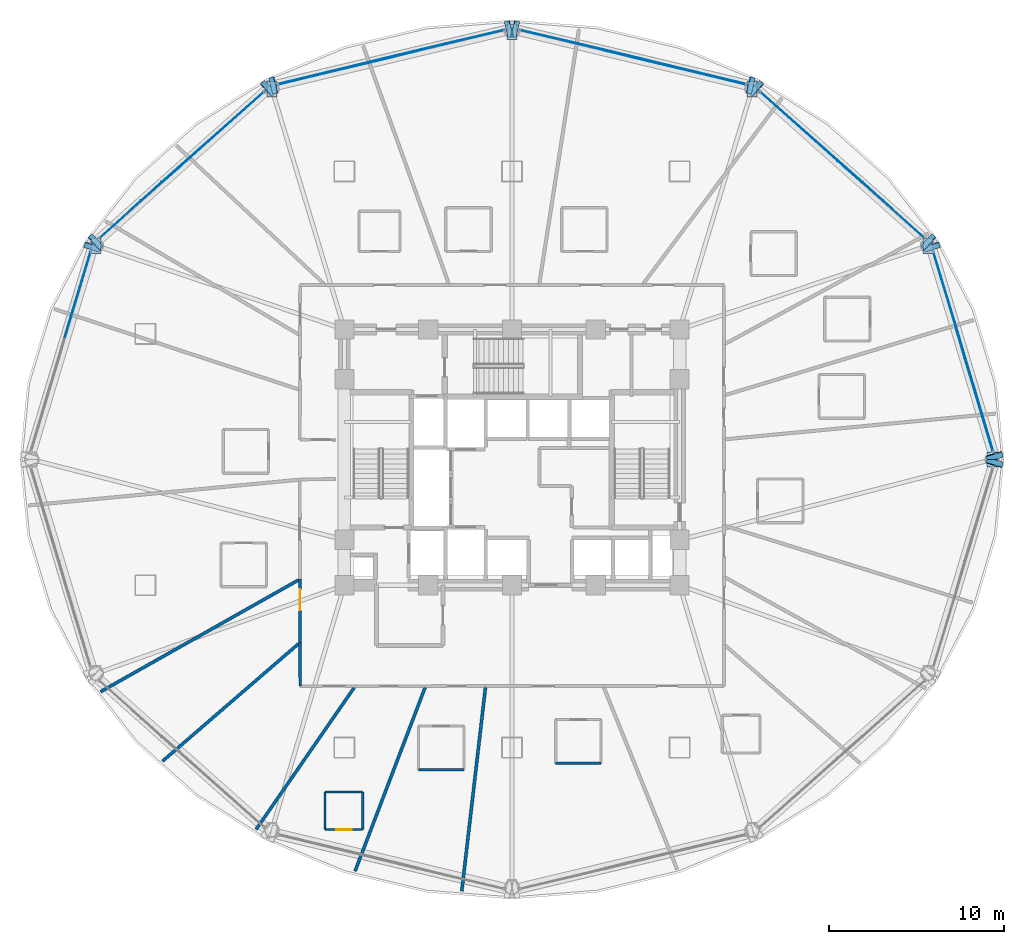
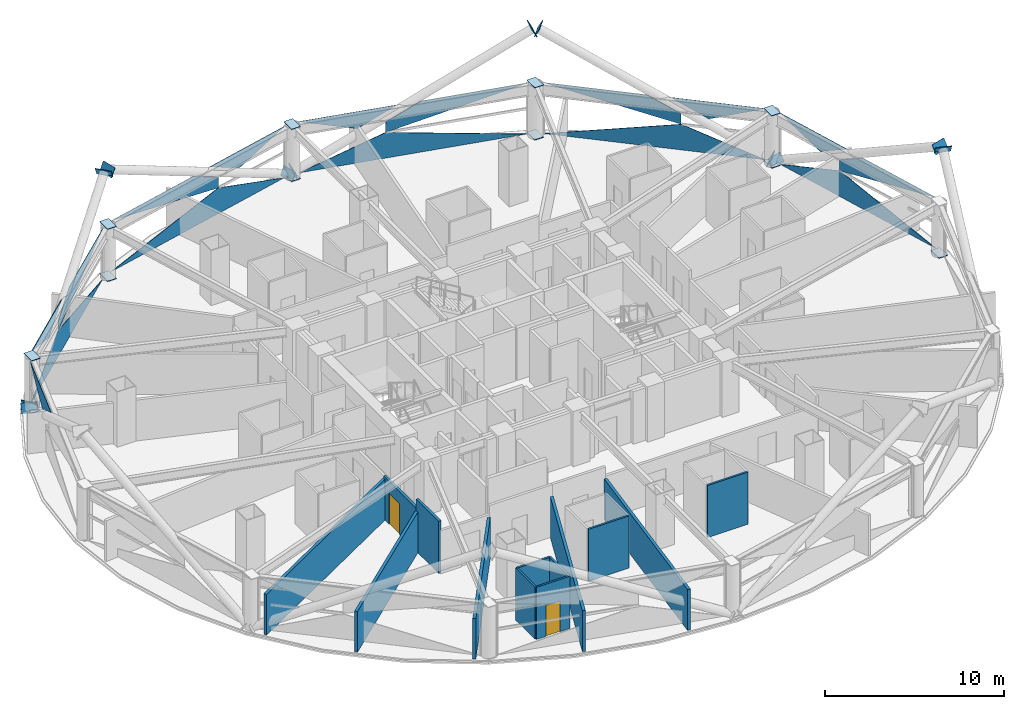
# One storey, part 21 of 30: 39 plates, 13 walls, 2 doors, 2 openings, 6 elements without a shape of their own.
"""IFC4 building model written with IfcOpenShell, lengths in metres."""

from ifc_helpers import new_model, si_unit, direction, frame, frame_2d, origin, place, context, subcontext, project, spatial, polyline, rectangle, outline, extrude, material, layer, layer_set, type_object, element, fill, aggregate, save


model = new_model("IFC4")

# Units and contexts
model_context = context("Model", 3, precision=1e-05, world=origin(), true_north=direction((0.0, 1.0)))
body_context = subcontext(model_context, "Body", "Model", "MODEL_VIEW")
ifc_project = project(units=[si_unit("LENGTHUNIT", "METRE"), si_unit("AREAUNIT", "SQUARE_METRE"), si_unit("VOLUMEUNIT", "CUBIC_METRE"), si_unit("PLANEANGLEUNIT", "RADIAN"), si_unit("MASSUNIT", "GRAM", prefix="KILO")], contexts=[model_context])

# Site, building, storey
site_placement = place(None, origin())
site = spatial("IfcSite", under=ifc_project, at=site_placement, CompositionType="ELEMENT")
building_placement = place(site_placement, origin())
building = spatial("IfcBuilding", under=site, at=building_placement, Name="Vantalir Tower", CompositionType="ELEMENT")
storey_placement = place(building_placement, frame((0.0, 0.0, 79.5)))
storey = spatial("IfcBuildingStorey", under=building, at=storey_placement, Name="L19", CompositionType="ELEMENT", Elevation=79.5)

# Curtain wall, plates
ifc_material_1 = material(Name="Champagne-silver PVDF aluminium and double-silver Low-E glass", Category="aluminium")
ifc_layer_1 = layer(ifc_material_1, 0.18994140625)
ifc_layer_set_1 = layer_set([ifc_layer_1], Name="Champagne-silver PVDF aluminium and double-silver Low-E glass")
curtain_wall_type = type_object("IfcCurtainWallType", Name="CW-DIAMOND-Z1", PredefinedType="USERDEFINED", material=ifc_layer_set_1)
curtain_wall_1_placement = place(storey_placement, origin())
curtain_wall_1 = element("IfcCurtainWall", 1, at=curtain_wall_1_placement, inside=storey, type_object=curtain_wall_type, Name="L19 Quilted Pyramid-Diamond Curtain Wall S01", ObjectType="UNITISED CURTAIN WALL", PredefinedType="USERDEFINED")
ifc_material_2 = material(Name="Double-silver Low-E laminated glass IGU", Category="glass")
ifc_layer_2 = layer(ifc_material_2, 0.028076171875)
ifc_layer_set_2 = layer_set([ifc_layer_2], Name="Double-silver Low-E laminated glass IGU")
plate_type_1 = type_object("IfcPlateType", Name="CWP-IGU-28", PredefinedType="CURTAIN_PANEL", material=ifc_layer_set_2)
plate_1_placement = place(storey_placement, frame((59.050537109375, 25.46435546875, 0.04638671875), z_axis=(-0.957576531214, -0.287852931613, 0.013706809609), x_axis=(-0.287879706856, 0.957666577657, 2.0485285e-05)))
plate_1 = element("IfcPlate", 2, at=plate_1_placement, type_object=plate_type_1, Name="CW-L19-S01 Pyramid Diamond Facet 1L", PredefinedType="CURTAIN_PANEL", context=body_context, shape_type="SweptSolid", body=[
    extrude(outline(polyline([(0.0, 0.0), (11.917853608351962, -2.4123498337802474e-18), (7.3831663202509015, -1.7270617802419481), (0.0, 0.0)])), origin(), (0.0, 0.0, -1.0), 0.028076171875),
])
plate_2_placement = place(storey_placement, frame((59.050537109375, 25.46435546875, 3.523681640625), z_axis=(0.957582670666, 0.287834023631, 0.013674928905), x_axis=(-0.287860371805, 0.9576723889, -4.3393623e-05)))
plate_2 = element("IfcPlate", 3, at=plate_2_placement, type_object=plate_type_1, Name="CW-L19-S01 Pyramid Diamond Facet 2U", PredefinedType="CURTAIN_PANEL", context=body_context, shape_type="SweptSolid", body=[
    extrude(outline(polyline([(0.0, 0.0), (5.5972982099592965, -1.9244588561617704e-18), (7.3831096333744055, -0.99171571200971), (7.383206355143531, -1.726890620226015), (0.0, 0.0)])), origin(), (0.0, 0.0, -1.0), 0.028076171875),
])
plate_3_placement = place(storey_placement, frame((57.1201171875, 31.9970703125, 3.52392578125), z_axis=(0.957569531843, 0.287873284962, 0.013768205819), x_axis=(-0.287900573975, 0.95766030486, 0.0)))
plate_3 = element("IfcPlate", 4, at=plate_3_placement, type_object=plate_type_1, Name="CW-L19-S01 Pyramid Diamond Facet 2U Infill Light", PredefinedType="CURTAIN_PANEL", context=body_context, shape_type="SweptSolid", body=[
    extrude(outline(polyline([(0.0, 0.0), (5.105827622471406, 3.469446951953614e-18), (2.077019706925406, -1.1536738055248466), (0.0, 0.0)])), origin(), (0.0, 0.0, -1.0), 0.028076171875),
])
aggregate(curtain_wall_1, [plate_1, plate_2, plate_3])

curtain_wall_2_placement = place(storey_placement, origin())
curtain_wall_2 = element("IfcCurtainWall", 5, at=curtain_wall_2_placement, inside=storey, type_object=curtain_wall_type, Name="L19 Quilted Pyramid-Diamond Curtain Wall S02", ObjectType="UNITISED CURTAIN WALL", PredefinedType="USERDEFINED")
plate_4_placement = place(storey_placement, frame((55.1181640625, 37.664794921875, 0.04638671875), z_axis=(-0.665406424117, -0.746358042217, 0.013563316793), x_axis=(-0.746426703032, 0.665467637831, 0.0)))
plate_4 = element("IfcPlate", 6, at=plate_4_placement, type_object=plate_type_1, Name="CW-L19-S02 Pyramid Diamond Facet 1L", PredefinedType="CURTAIN_PANEL", context=body_context, shape_type="SweptSolid", body=[
    extrude(outline(polyline([(0.0, 0.0), (12.608247768023936, 0.0), (4.7933008745433945, -1.7274538234630064), (0.0, 0.0)])), origin(), (0.0, 0.0, -1.0), 0.028076171875),
])
plate_5_placement = place(storey_placement, frame((50.134033203125, 42.1083984375, 3.523681640625), z_axis=(0.665392300509, 0.746371508084, 0.013515115368), x_axis=(-0.746439681498, 0.665453080153, -1.57564e-07)))
plate_5 = element("IfcPlate", 7, at=plate_5_placement, type_object=plate_type_1, Name="CW-L19-S02 Pyramid Diamond Facet 2U", PredefinedType="CURTAIN_PANEL", context=body_context, shape_type="SweptSolid", body=[
    extrude(outline(polyline([(0.0, 0.0), (5.930885067958235, -6.938893903907228e-18), (-1.8840620088322402, -1.7274529927906006), (-1.8840156696715595, -0.9932560112353916), (0.0, 0.0)])), origin(), (0.0, 0.0, -1.0), 0.028076171875),
])
plate_6_placement = place(storey_placement, frame((55.139404296875, 37.688720703125, 3.52392578125), z_axis=(0.665388088789, 0.746374603255, 0.013551491221), x_axis=(-0.746443145899, 0.665449194109, 0.0)))
plate_6 = element("IfcPlate", 8, at=plate_6_placement, type_object=plate_type_1, Name="CW-L19-S02 Pyramid Diamond Facet 2U Infill Light", PredefinedType="CURTAIN_PANEL", context=body_context, shape_type="SweptSolid", body=[
    extrude(outline(polyline([(0.0, 0.0), (5.413695131639065, 0.0), (3.2157069587130076, -1.1587978136392587), (0.0, 0.0)])), origin(), (0.0, 0.0, -1.0), 0.028076171875),
])
aggregate(curtain_wall_2, [plate_4, plate_5, plate_6])

curtain_wall_3_placement = place(storey_placement, origin())
curtain_wall_3 = element("IfcCurtainWall", 9, at=curtain_wall_3_placement, inside=storey, type_object=curtain_wall_type, Name="L19 Quilted Pyramid-Diamond Curtain Wall S03", ObjectType="UNITISED CURTAIN WALL", PredefinedType="USERDEFINED")
plate_7_placement = place(storey_placement, frame((44.873291015625, 46.49072265625, 0.046142578125), z_axis=(-0.232292162304, -0.972547391112, 0.01385364119), x_axis=(-0.972640672429, 0.232314704653, 1.8405538e-05)))
plate_7 = element("IfcPlate", 10, at=plate_7_placement, type_object=plate_type_1, Name="CW-L19-S03 Pyramid Diamond Facet 1L", PredefinedType="CURTAIN_PANEL", context=body_context, shape_type="SweptSolid", body=[
    extrude(outline(polyline([(0.0, 0.0), (13.264519666759917, 3.4423418976414766e-18), (8.217727876589807, -1.7277977620566989), (0.0, 0.0)])), origin(), (0.0, 0.0, -1.0), 0.028076171875),
])
plate_8_placement = place(storey_placement, frame((44.873291015625, 46.49072265625, 3.523681640625), z_axis=(0.232284758592, 0.972549558728, 0.013825582984), x_axis=(-0.972642521077, 0.23230696544, -2.54893e-07)))
plate_8 = element("IfcPlate", 11, at=plate_8_placement, type_object=plate_type_1, Name="CW-L19-S03 Pyramid Diamond Facet 2U", PredefinedType="CURTAIN_PANEL", context=body_context, shape_type="SweptSolid", body=[
    extrude(outline(polyline([(0.0, 0.0), (6.247354642734053, 0.0), (8.217745416262733, -0.9908152616868431), (8.217696326819132, -1.7277036906336618), (0.0, 0.0)])), origin(), (0.0, 0.0, -1.0), 0.028076171875),
])
plate_9_placement = place(storey_placement, frame((37.5283203125, 48.278076171875, 3.524169921875), z_axis=(0.232290567299, 0.972550789261, 0.013640185139), x_axis=(-0.972641139188, 0.232312747235, -4.2791075e-05)))
plate_9 = element("IfcPlate", 12, at=plate_9_placement, type_object=plate_type_1, Name="CW-L19-S03 Pyramid Diamond Facet 2U Infill Light", PredefinedType="CURTAIN_PANEL", context=body_context, shape_type="SweptSolid", body=[
    extrude(outline(polyline([(0.0, 0.0), (5.705409922186166, 1.2468324983583301e-18), (2.310849567881098, -1.1621186061410649), (0.0, 0.0)])), origin(), (0.0, 0.0, -1.0), 0.028076171875),
])
aggregate(curtain_wall_3, [plate_7, plate_8, plate_9])

curtain_wall_4_placement = place(storey_placement, origin())
curtain_wall_4 = element("IfcCurtainWall", 13, at=curtain_wall_4_placement, inside=storey, type_object=curtain_wall_type, Name="L19 Quilted Pyramid-Diamond Curtain Wall S04", ObjectType="UNITISED CURTAIN WALL", PredefinedType="USERDEFINED")
plate_10_placement = place(storey_placement, frame((31.0283203125, 49.572265625, 0.04638671875), z_axis=(0.232292162304, -0.972547391112, 0.01385364119), x_axis=(-0.972640672429, -0.232314704653, -1.8405538e-05)))
plate_10 = element("IfcPlate", 14, at=plate_10_placement, type_object=plate_type_1, Name="CW-L19-S04 Pyramid Diamond Facet 1L", PredefinedType="CURTAIN_PANEL", context=body_context, shape_type="SweptSolid", body=[
    extrude(outline(polyline([(0.0, 0.0), (13.264519666759917, -3.4423418976414766e-18), (5.046791790170109, -1.7277977620566987), (0.0, 0.0)])), origin(), (0.0, 0.0, -1.0), 0.028076171875),
])
plate_11_placement = place(storey_placement, frame((24.203125, 47.942138671875, 3.523681640625), z_axis=(-0.232284758592, 0.972549558728, 0.013825582984), x_axis=(-0.972642521077, -0.23230696544, 2.54893e-07)))
plate_11 = element("IfcPlate", 15, at=plate_11_placement, type_object=plate_type_1, Name="CW-L19-S04 Pyramid Diamond Facet 2U", PredefinedType="CURTAIN_PANEL", context=body_context, shape_type="SweptSolid", body=[
    extrude(outline(polyline([(0.0, 0.0), (6.247354642734053, 0.0), (-1.970341684085077, -1.7277036906336618), (-1.970390773528679, -0.9908152616868431), (0.0, 0.0)])), origin(), (0.0, 0.0, -1.0), 0.028076171875),
])
plate_12_placement = place(storey_placement, frame((31.02099609375, 49.603515625, 3.52392578125), z_axis=(-0.232290567299, 0.972550789261, 0.013640185139), x_axis=(-0.972641139188, -0.232312747235, 4.2791075e-05)))
plate_12 = element("IfcPlate", 16, at=plate_12_placement, type_object=plate_type_1, Name="CW-L19-S04 Pyramid Diamond Facet 2U Infill Light", PredefinedType="CURTAIN_PANEL", context=body_context, shape_type="SweptSolid", body=[
    extrude(outline(polyline([(0.0, 0.0), (5.705409922186166, -1.2468324983583301e-18), (3.394560354305068, -1.1621186061410647), (0.0, 0.0)])), origin(), (0.0, 0.0, -1.0), 0.028076171875),
])
aggregate(curtain_wall_4, [plate_10, plate_11, plate_12])

curtain_wall_5_placement = place(storey_placement, origin())
curtain_wall_5 = element("IfcCurtainWall", 17, at=curtain_wall_5_placement, inside=storey, type_object=curtain_wall_type, Name="L19 Quilted Pyramid-Diamond Curtain Wall S05", ObjectType="UNITISED CURTAIN WALL", PredefinedType="USERDEFINED")
plate_13_placement = place(storey_placement, frame((17.29296875, 46.05517578125, 0.04638671875), z_axis=(0.665406424117, -0.746358042217, 0.013563316793), x_axis=(-0.746426703032, -0.665467637831, 0.0)))
plate_13 = element("IfcPlate", 18, at=plate_13_placement, type_object=plate_type_1, Name="CW-L19-S05 Pyramid Diamond Facet 1L", PredefinedType="CURTAIN_PANEL", context=body_context, shape_type="SweptSolid", body=[
    extrude(outline(polyline([(0.0, 0.0), (12.608247768023936, 0.0), (7.814946893480541, -1.7274538234630064), (0.0, 0.0)])), origin(), (0.0, 0.0, -1.0), 0.028076171875),
])
plate_14_placement = place(storey_placement, frame((17.29296875, 46.05517578125, 3.523681640625), z_axis=(-0.665392300509, 0.746371508084, 0.013515115368), x_axis=(-0.746439681498, -0.665453080153, 1.57564e-07)))
plate_14 = element("IfcPlate", 19, at=plate_14_placement, type_object=plate_type_1, Name="CW-L19-S05 Pyramid Diamond Facet 2U", PredefinedType="CURTAIN_PANEL", context=body_context, shape_type="SweptSolid", body=[
    extrude(outline(polyline([(0.0, 0.0), (5.930885067958235, 6.938893903907228e-18), (7.814900737629794, -0.9932560112353916), (7.8149470767904745, -1.7274529927906006), (0.0, 0.0)])), origin(), (0.0, 0.0, -1.0), 0.028076171875),
])
plate_15_placement = place(storey_placement, frame((11.901611328125, 41.291259765625, 3.52392578125), z_axis=(-0.665388088789, 0.746374603255, 0.013551491221), x_axis=(-0.746443145899, -0.665449194109, 0.0)))
plate_15 = element("IfcPlate", 20, at=plate_15_placement, type_object=plate_type_1, Name="CW-L19-S05 Pyramid Diamond Facet 2U Infill Light", PredefinedType="CURTAIN_PANEL", context=body_context, shape_type="SweptSolid", body=[
    extrude(outline(polyline([(0.0, 0.0), (5.413695131639065, 0.0), (2.197988172926058, -1.1587978136392587), (0.0, 0.0)])), origin(), (0.0, 0.0, -1.0), 0.028076171875),
])
aggregate(curtain_wall_5, [plate_13, plate_14, plate_15])

# Curtain wall, plate
curtain_wall_6_placement = place(storey_placement, origin())
curtain_wall_6 = element("IfcCurtainWall", 21, at=curtain_wall_6_placement, inside=storey, type_object=curtain_wall_type, Name="L19 Quilted Pyramid-Diamond Curtain Wall S06", ObjectType="UNITISED CURTAIN WALL", PredefinedType="USERDEFINED")
plate_16_placement = place(storey_placement, frame((7.349853515625, 36.88671875, 3.52392578125), z_axis=(-0.957569531843, 0.287873284962, 0.013768205819), x_axis=(-0.287900573975, -0.95766030486, 0.0)))
plate_16 = element("IfcPlate", 22, at=plate_16_placement, type_object=plate_type_1, Name="CW-L19-S06 Pyramid Diamond Facet 2U Infill Light", PredefinedType="CURTAIN_PANEL", context=body_context, shape_type="SweptSolid", body=[
    extrude(outline(polyline([(0.0, 0.0), (5.105827622471406, -3.469446951953614e-18), (3.0288079155459986, -1.1536738055248466), (0.0, 0.0)])), origin(), (0.0, 0.0, -1.0), 0.028076171875),
])
aggregate(curtain_wall_6, [plate_16])

# Plates
ifc_material_3 = material(Name="Steel S460", Category="steel")
ifc_layer_3 = layer(ifc_material_3, 0.0400390625)
ifc_layer_set_3 = layer_set([ifc_layer_3], Name="Steel S460")
plate_type_2 = type_object("IfcPlateType", Name="PLT-KN-Z1", PredefinedType="USERDEFINED", material=ifc_layer_set_3)
plate_17_placement = place(storey_placement, frame((55.53759765625, 37.927001953125, -0.087890625), z_axis=(-0.66037258702, 0.588538598208, 0.466401505928), x_axis=(-0.665336277327, -0.746543795147, 0.0)))
element("IfcPlate", 23, at=plate_17_placement, inside=storey, type_object=plate_type_2, Name="Node Cap Plate MEM-DG-L19-R04L Start", ObjectType="FLANGE_PLATE", PredefinedType="USERDEFINED", context=body_context, shape_type="SweptSolid", body=[
    extrude(outline(polyline([(0.0, 0.0), (0.9500159538334854, 0.0), (0.9500450655079411, 0.6198920367526048), (2.9111674455767345e-05, 0.6198920367526048), (0.0, 0.0)])), origin(), (0.0, 0.0, -1.0), 0.0400390625),
])
plate_18_placement = place(storey_placement, frame((45.67724609375, 46.718017578125, 6.878173828125), z_axis=(-0.660271928184, 0.588651522751, 0.466401506875), x_axis=(-0.665463937631, -0.746430001885, 0.0)))
element("IfcPlate", 24, at=plate_18_placement, inside=storey, type_object=plate_type_2, Name="Node Cap Plate MEM-DG-L19-R04L End", ObjectType="FLANGE_PLATE", PredefinedType="USERDEFINED", context=body_context, shape_type="SweptSolid", body=[
    extrude(outline(polyline([(0.0, 0.0), (0.9498337060541948, 5.551115123125783e-17), (0.9498133741742203, 0.6198920371027498), (-2.0331879974522238e-05, 0.6198920371027498), (0.0, 0.0)])), origin(), (0.0, 0.0, -1.0), 0.0400390625),
])
plate_19_placement = place(storey_placement, frame((55.125732421875, 36.8701171875, -0.080322265625), z_axis=(0.2516650653, -0.837086745536, 0.485747336951), x_axis=(0.95764802942, 0.287941398585, 5.2237833e-05)))
element("IfcPlate", 25, at=plate_19_placement, inside=storey, type_object=plate_type_2, Name="Node Cap Plate MEM-DG-L19-R04R Start", ObjectType="FLANGE_PLATE", PredefinedType="USERDEFINED", context=body_context, shape_type="SweptSolid", body=[
    extrude(outline(polyline([(0.0, 0.0), (0.9501798128570182, 0.0), (0.9502310114101067, 0.6200011512551207), (0.00012149674610249748, 0.6201147161558995), (0.0, 0.0)])), origin(), (0.0, 0.0, -1.0), 0.0400390625),
])
plate_20_placement = place(storey_placement, frame((58.731201171875, 24.87646484375, 6.877685546875), z_axis=(0.251647031705, -0.837175750118, 0.485603268984), x_axis=(0.957670515675, 0.287866606966, 0.0)))
element("IfcPlate", 26, at=plate_20_placement, inside=storey, type_object=plate_type_2, Name="Node Cap Plate MEM-DG-L19-R04R End", ObjectType="FLANGE_PLATE", PredefinedType="USERDEFINED", context=body_context, shape_type="SweptSolid", body=[
    extrude(outline(polyline([(0.0, 0.0), (0.9498757180684223, 2.7755575615628914e-17), (0.9498750905690174, 0.6200011617892571), (-6.274994048326656e-07, 0.6200011617892571), (0.0, 0.0)])), origin(), (0.0, 0.0, -1.0), 0.0400390625),
])
plate_21_placement = place(storey_placement, frame((31.05615234375, 50.0673828125, -0.094482421875), z_axis=(-0.868979514923, -0.207659701783, 0.449168176633), x_axis=(0.232400734814, -0.97262011903, -5.0150612e-05)))
element("IfcPlate", 27, at=plate_21_placement, inside=storey, type_object=plate_type_2, Name="Node Cap Plate MEM-DG-L19-R10L Start", ObjectType="FLANGE_PLATE", PredefinedType="USERDEFINED", context=body_context, shape_type="SweptSolid", body=[
    extrude(outline(polyline([(0.0, 0.0), (0.9500628454106816, 0.0), (0.9500888933505065, 0.6200732502348774), (-3.069052082319247e-05, 0.6199665899761659), (0.0, 0.0)])), origin(), (0.0, 0.0, -1.0), 0.0400390625),
])
plate_22_placement = place(storey_placement, frame((17.572509765625, 46.8466796875, 6.878662109375), z_axis=(-0.868853349314, -0.207514776164, 0.449479115265), x_axis=(0.232303709897, -0.972643298629, 0.0)))
element("IfcPlate", 28, at=plate_22_placement, inside=storey, type_object=plate_type_2, Name="Node Cap Plate MEM-DG-L19-R10L End", ObjectType="FLANGE_PLATE", PredefinedType="USERDEFINED", context=body_context, shape_type="SweptSolid", body=[
    extrude(outline(polyline([(0.0, 0.0), (0.9500628513325243, 0.0), (0.9500888874285016, 0.61985516101454), (2.6036095977323395e-05, 0.61985516101454), (0.0, 0.0)])), origin(), (0.0, 0.0, -1.0), 0.0400390625),
])
plate_23_placement = place(storey_placement, frame((31.72314453125, 49.143310546875, -0.094482421875), z_axis=(0.868979514923, -0.207659701783, 0.449168176633), x_axis=(0.232400734814, 0.97262011903, 5.0150612e-05)))
element("IfcPlate", 29, at=plate_23_placement, inside=storey, type_object=plate_type_2, Name="Node Cap Plate MEM-DG-L19-R10R Start", ObjectType="FLANGE_PLATE", PredefinedType="USERDEFINED", context=body_context, shape_type="SweptSolid", body=[
    extrude(outline(polyline([(0.0, 0.0), (0.9500628454106816, 0.0), (0.9500935359315049, 0.6199665899761659), (-2.6047939824827885e-05, 0.6200732502348774), (0.0, 0.0)])), origin(), (0.0, 0.0, -1.0), 0.0400390625),
])
plate_24_placement = place(storey_placement, frame((45.206787109375, 45.922607421875, 6.878662109375), z_axis=(0.868853349314, -0.207514776164, 0.449479115265), x_axis=(0.232303709897, 0.972643298629, 0.0)))
element("IfcPlate", 30, at=plate_24_placement, inside=storey, type_object=plate_type_2, Name="Node Cap Plate MEM-DG-L19-R10R End", ObjectType="FLANGE_PLATE", PredefinedType="USERDEFINED", context=body_context, shape_type="SweptSolid", body=[
    extrude(outline(polyline([(0.0, 0.0), (0.9500628513325243, 0.0), (0.950036815236547, 0.61985516101454), (-2.6036095977323395e-05, 0.61985516101454), (0.0, 0.0)])), origin(), (0.0, 0.0, -1.0), 0.0400390625),
])
plate_25_placement = place(storey_placement, frame((6.96435546875, 37.143798828125, -0.080322265625), z_axis=(-0.2516650653, -0.837086745536, 0.485747336951), x_axis=(0.95764802942, -0.287941398585, -5.2237833e-05)))
element("IfcPlate", 31, at=plate_25_placement, inside=storey, type_object=plate_type_2, Name="Node Cap Plate MEM-DG-L19-R16L Start", ObjectType="FLANGE_PLATE", PredefinedType="USERDEFINED", context=body_context, shape_type="SweptSolid", body=[
    extrude(outline(polyline([(0.0, 0.0), (0.9501798128570182, 0.0), (0.9500583161109157, 0.6201147161558995), (-5.1198553088590654e-05, 0.6200011512551207), (0.0, 0.0)])), origin(), (0.0, 0.0, -1.0), 0.0400390625),
])
plate_26_placement = place(storey_placement, frame((8.094482421875, 37.2177734375, -0.087890625), z_axis=(0.66037258702, 0.588538598208, 0.466401505928), x_axis=(-0.665336277327, 0.746543795147, 0.0)))
element("IfcPlate", 32, at=plate_26_placement, inside=storey, type_object=plate_type_2, Name="Node Cap Plate MEM-DG-L19-R16R Start", ObjectType="FLANGE_PLATE", PredefinedType="USERDEFINED", context=body_context, shape_type="SweptSolid", body=[
    extrude(outline(polyline([(0.0, 0.0), (0.9500159538334854, 0.0), (0.9499868421590296, 0.6198920367526048), (-2.9111674455767345e-05, 0.6198920367526048), (0.0, 0.0)])), origin(), (0.0, 0.0, -1.0), 0.0400390625),
])
plate_27_placement = place(storey_placement, frame((17.954833984375, 46.009033203125, 6.878173828125), z_axis=(0.660271928184, 0.588651522751, 0.466401506875), x_axis=(-0.665463937631, 0.746430001885, 0.0)))
element("IfcPlate", 33, at=plate_27_placement, inside=storey, type_object=plate_type_2, Name="Node Cap Plate MEM-DG-L19-R16R End", ObjectType="FLANGE_PLATE", PredefinedType="USERDEFINED", context=body_context, shape_type="SweptSolid", body=[
    extrude(outline(polyline([(0.0, 0.0), (0.9498337060541948, -5.551115123125783e-17), (0.9498540379341693, 0.6198920371027498), (2.0331879974522238e-05, 0.6198920371027498), (0.0, 0.0)])), origin(), (0.0, 0.0, -1.0), 0.0400390625),
])
plate_28_placement = place(storey_placement, frame((59.640869140625, 24.85009765625, 6.877685546875), z_axis=(0.251647031705, 0.837175750118, 0.485603268984), x_axis=(-0.957670515675, 0.287866606966, 0.0)))
element("IfcPlate", 34, at=plate_28_placement, inside=storey, type_object=plate_type_2, Name="Node Cap Plate MEM-DG-L19-R34L End", ObjectType="FLANGE_PLATE", PredefinedType="USERDEFINED", context=body_context, shape_type="SweptSolid", body=[
    extrude(outline(polyline([(0.0, 0.0), (0.9498757180684223, -2.7755575615628914e-17), (0.9498763455678272, 0.6200011617892571), (6.274994048326656e-07, 0.6200011617892571), (0.0, 0.0)])), origin(), (0.0, 0.0, -1.0), 0.0400390625),
])
ifc_layer_4 = layer(ifc_material_3, 0.035888671875)
ifc_layer_set_4 = layer_set([ifc_layer_4], Name="Steel S460")
plate_type_3 = type_object("IfcPlateType", Name="PLT-KN-Z2", PredefinedType="USERDEFINED", material=ifc_layer_set_4)
plate_29_placement = place(storey_placement, frame((58.7099609375, 25.43994140625, 0.052978515625), z_axis=(0.0, 0.0, 1.0), x_axis=(0.0, -1.0, 0.0)))
element("IfcPlate", 35, at=plate_29_placement, inside=storey, type_object=plate_type_3, Name="L19 Ring Column Base Cap RC01", ObjectType="FLANGE_PLATE", PredefinedType="USERDEFINED", context=body_context, shape_type="SweptSolid", body=[
    extrude(outline(polyline([(0.0, 0.0), (0.8798828125, 0.0), (0.8798828125, 0.580078125), (0.0, 0.580078125), (0.0, 0.0)])), origin(), (0.0, 0.0, -1.0), 0.035888671875),
])
for number, where, z_axis, x_axis, name in (
    (36, (55.02587890625, 37.68701171875, 3.597900390625), (0.0, 0.0, 1.0), (0.0, -1.0, 0.0), "L19 Ring Column Top Cap RC02"),
    (37, (55.02587890625, 37.68701171875, 0.052978515625), (0.0, 0.0, 1.0), (0.0, -1.0, 0.0), "L19 Ring Column Base Cap RC02"),
    (38, (44.9599609375, 46.653076171875, 3.597900390625), (0.0, 0.0, 1.0), (0.0, -1.0, 0.0), "L19 Ring Column Top Cap RC03"),
    (39, (44.9599609375, 46.653076171875, 0.052978515625), (0.0, 0.0, 1.0), (0.0, -1.0, 0.0), "L19 Ring Column Base Cap RC03"),
    (40, (31.2099609375, 49.93505859375, 3.597900390625), (0.0, 0.0, 1.0), (0.0, -1.0, 0.0), "L19 Ring Column Top Cap RC04"),
    (41, (31.2099609375, 49.93505859375, 0.052978515625), (0.0, 0.0, 1.0), (0.0, -1.0, 0.0), "L19 Ring Column Base Cap RC04"),
    (42, (17.4599609375, 46.653076171875, 3.597900390625), (0.0, 0.0, 1.0), (0.0, -1.0, 0.0), "L19 Ring Column Top Cap RC05"),
    (43, (17.4599609375, 46.653076171875, 0.052978515625), (0.0, 0.0, 1.0), (0.0, -1.0, 0.0), "L19 Ring Column Base Cap RC05"),
    (44, (7.39404296875, 37.68701171875, 3.597900390625), (0.0, 0.0, 1.0), (0.0, -1.0, 0.0), "L19 Ring Column Top Cap RC06"),
    (45, (7.39404296875, 37.68701171875, 0.052978515625), (0.0, 0.0, 1.0), (0.0, -1.0, 0.0), "L19 Ring Column Base Cap RC06"),
):
    element("IfcPlate", number, at=place(storey_placement, frame(where, z_axis=z_axis, x_axis=x_axis)), inside=storey, type_object=plate_type_3, Name=name, ObjectType="FLANGE_PLATE", PredefinedType="USERDEFINED", context=body_context, shape_type="SweptSolid", body=[
        extrude(outline(polyline([(0.0, 0.0), (0.880126953125, 0.0), (0.880126953125, 0.580078125), (0.0, 0.580078125), (0.0, 0.0)])), origin(), (0.0, 0.0, -1.0), 0.035888671875),
    ])

# Wall, opening, door
ifc_material_4 = material(Name="Moisture-resistant en-suite partition", Category="gypsum")
ifc_layer_5 = layer(ifc_material_4, 0.125)
ifc_layer_set_5 = layer_set([ifc_layer_5], Name="Moisture-resistant en-suite partition")
wall_type_1 = type_object("IfcWallType", Name="WL-BATH-125", PredefinedType="PARTITIONING", material=ifc_layer_set_5)
wall_1_placement = place(storey_placement, frame((20.800048828125, 3.805908203125, 0.0), z_axis=(0.0, 0.0, 1.0), x_axis=(1.0, 0.0, 0.0)))
wall_1 = element("IfcWall", 46, at=wall_1_placement, inside=storey, type_object=wall_type_1, Name="L19 En-suite 13 South Wall", PredefinedType="PARTITIONING", context=body_context, shape_type="SweptSolid", body=[
    extrude(rectangle(XDim=2.14990234375, YDim=0.125, at=frame_2d((1.074951171875, 0.0))), origin(), (0.0, 0.0, 1.0), 3.550048828125),
])
opening_1_placement = place(wall_1_placement, frame((0.625, 0.0, 0.0)))
opening_1 = element("IfcOpeningElement", 47, at=opening_1_placement, cuts=wall_1, Name="Opening D-WC", PredefinedType="OPENING", context=body_context, shape_type="SweptSolid", body=[
    extrude(rectangle(XDim=0.89990234375, YDim=2.10009765625, at=frame_2d((0.449951171875, 1.050048828125))), frame((0.0, 0.072509765625, 0.0), z_axis=(0.0, -1.0, 0.0), x_axis=(1.0, 0.0, 0.0)), (0.0, 0.0, 1.0), 0.14501953125),
])
ifc_material_5 = material(Name="Moisture-resistant hardwood door", Category="wood")
door_type_1 = type_object("IfcDoorType", Name="DR-ENSUITE-900", OperationType="NOTDEFINED", PredefinedType="DOOR", material=ifc_material_5)
door_1_placement = place(opening_1_placement, origin())
door_1 = element("IfcDoor", 48, at=door_1_placement, inside=storey, type_object=door_type_1, Name="L19 En-suite 13 Door", OperationType="SINGLE_SWING_LEFT", OverallHeight=2.10009765625, OverallWidth=0.89990234375, PredefinedType="DOOR", context=body_context, shape_type="SweptSolid", body=[
    extrude(rectangle(XDim=0.89990234375, YDim=2.10009765625, at=frame_2d((0.449951171875, 1.050048828125))), frame((0.0, 0.02490234375, 0.0), z_axis=(0.0, -1.0, 0.0), x_axis=(1.0, 0.0, 0.0)), (0.0, 0.0, 1.0), 0.050048828125),
])
fill(opening_1, door_1)

# Walls
wall_2_placement = place(storey_placement, frame((20.800048828125, 5.9560546875, 0.0), z_axis=(0.0, 0.0, 1.0), x_axis=(1.0, 0.0, 0.0)))
element("IfcWall", 49, at=wall_2_placement, inside=storey, type_object=wall_type_1, Name="L19 En-suite 13 North Wall", PredefinedType="PARTITIONING", context=body_context, shape_type="SweptSolid", body=[
    extrude(rectangle(XDim=2.14990234375, YDim=0.125, at=frame_2d((1.074951171875, 0.0))), origin(), (0.0, 0.0, 1.0), 3.550048828125),
])
for number, where, z_axis, x_axis, name in (
    (50, (20.800048828125, 3.805908203125, 0.0), (0.0, 0.0, 1.0), (0.0, 1.0, 0.0), "L19 En-suite 13 West Wall"),
    (51, (22.949951171875, 3.805908203125, 0.0), (0.0, 0.0, 1.0), (0.0, 1.0, 0.0), "L19 En-suite 13 East Wall"),
):
    element("IfcWall", number, at=place(storey_placement, frame(where, z_axis=z_axis, x_axis=x_axis)), inside=storey, type_object=wall_type_1, Name=name, PredefinedType="PARTITIONING", context=body_context, shape_type="SweptSolid", body=[
        extrude(rectangle(XDim=2.150146484375, YDim=0.125, at=frame_2d((1.0751953125, 0.0))), origin(), (0.0, 0.0, 1.0), 3.550048828125),
    ])
wall_3_placement = place(storey_placement, frame((26.14404296875, 7.23095703125, 0.0), z_axis=(0.0, 0.0, 1.0), x_axis=(1.0, 0.0, 0.0)))
element("IfcWall", 52, at=wall_3_placement, inside=storey, type_object=wall_type_1, Name="L19 En-suite 14 South Wall", PredefinedType="PARTITIONING", context=body_context, shape_type="SweptSolid", body=[
    extrude(rectangle(XDim=2.599853515625, YDim=0.125, at=frame_2d((1.2998046875, 0.0))), origin(), (0.0, 0.0, 1.0), 3.550048828125),
])
wall_4_placement = place(storey_placement, frame((34.0029296875, 7.60595703125, 0.0), z_axis=(0.0, 0.0, 1.0), x_axis=(1.0, 0.0, 0.0)))
element("IfcWall", 53, at=wall_4_placement, inside=storey, type_object=wall_type_1, Name="L19 En-suite 15 South Wall", PredefinedType="PARTITIONING", context=body_context, shape_type="SweptSolid", body=[
    extrude(rectangle(XDim=2.60009765625, YDim=0.125, at=frame_2d((1.300048828125, 0.0))), origin(), (0.0, 0.0, 1.0), 3.550048828125),
])
ifc_material_6 = material(Name="Fire-rated hotel corridor acoustic partition", Category="gypsum")
ifc_layer_6 = layer(ifc_material_6, 0.159912109375)
ifc_layer_set_6 = layer_set([ifc_layer_6], Name="Fire-rated hotel corridor acoustic partition")
wall_type_2 = type_object("IfcWallType", Name="WL-CORR-160", PredefinedType="PARTITIONING", material=ifc_layer_set_6)
wall_5_placement = place(storey_placement, frame((19.368896484375, 12.01708984375, 0.0), z_axis=(0.0, 0.0, 1.0), x_axis=(-0.001947036808, 0.999998104522, 0.0)))
element("IfcWall", 54, at=wall_5_placement, inside=storey, type_object=wall_type_2, Name="L19 Corridor Partition 22", PredefinedType="PARTITIONING", context=body_context, shape_type="SweptSolid", body=[
    extrude(rectangle(XDim=2.5078125, YDim=0.159912109375, at=frame_2d((1.25390625, 0.0))), origin(), (0.0, 0.0, 1.0), 3.550048828125),
])

# Wall, opening, door
wall_6_placement = place(storey_placement, frame((19.364013671875, 14.52490234375, 0.0), z_axis=(0.0, 0.0, 1.0), x_axis=(-0.001685087928, 0.999998580238, 0.0)))
wall_6 = element("IfcWall", 55, at=wall_6_placement, inside=storey, type_object=wall_type_2, Name="L19 Corridor Partition 23", PredefinedType="PARTITIONING", context=body_context, shape_type="SweptSolid", body=[
    extrude(rectangle(XDim=3.6220703125, YDim=0.159912109375, at=frame_2d((1.81103515625, 0.0))), origin(), (0.0, 0.0, 1.0), 2.927978515625),
])
opening_2_placement = place(wall_6_placement, frame((1.842041015625, 0.0, 0.0)))
opening_2 = element("IfcOpeningElement", 56, at=opening_2_placement, cuts=wall_6, Name="Opening D-STE", PredefinedType="OPENING", context=body_context, shape_type="SweptSolid", body=[
    extrude(rectangle(XDim=1.199951171875, YDim=2.10009765625, at=frame_2d((0.60009765625, 1.050048828125))), frame((0.0, 0.08984375, 0.0), z_axis=(0.0, -1.0, 0.0), x_axis=(1.0, 0.0, 0.0)), (0.0, 0.0, 1.0), 0.179931640625),
])
ifc_material_7 = material(Name="Solid-core teak veneer suite entrance door", Category="wood")
door_type_2 = type_object("IfcDoorType", Name="DR-SUITE-ENTRY-1200", OperationType="NOTDEFINED", PredefinedType="DOOR", material=ifc_material_7)
door_2_placement = place(opening_2_placement, origin())
door_2 = element("IfcDoor", 57, at=door_2_placement, inside=storey, type_object=door_type_2, Name="L19 Club Reading Lounge 11 Door", OperationType="SINGLE_SWING_LEFT", OverallHeight=2.10009765625, OverallWidth=1.199951171875, PredefinedType="DOOR", context=body_context, shape_type="SweptSolid", body=[
    extrude(rectangle(XDim=1.199951171875, YDim=2.10009765625, at=frame_2d((0.60009765625, 1.050048828125))), frame((0.0, 0.02490234375, 0.0), z_axis=(0.0, -1.0, 0.0), x_axis=(1.0, 0.0, 0.0)), (0.0, 0.0, 1.0), 0.050048828125),
])
fill(opening_2, door_2)

# Walls
ifc_material_8 = material(Name="Twin-stud acoustic fire-rated gypsum partition", Category="gypsum")
ifc_layer_7 = layer(ifc_material_8, 0.179931640625)
ifc_layer_set_7 = layer_set([ifc_layer_7], Name="Twin-stud acoustic fire-rated gypsum partition")
wall_type_3 = type_object("IfcWallType", Name="WL-GUEST-180", PredefinedType="PARTITIONING", material=ifc_layer_set_7)
wall_7_placement = place(storey_placement, frame((19.27197265625, 18.09912109375, 0.0), z_axis=(0.0, 0.0, 1.0), x_axis=(-0.870816794363, -0.491607679614, 0.0)))
element("IfcWall", 58, at=wall_7_placement, inside=storey, type_object=wall_type_3, Name="L19 Radial Suite Partition 11", PredefinedType="PARTITIONING", context=body_context, shape_type="SweptSolid", body=[
    extrude(rectangle(XDim=13.0107421875, YDim=0.179931640625, at=frame_2d((6.50537109375, 0.0))), origin(), (0.0, 0.0, 1.0), 2.77490234375),
])
wall_8_placement = place(storey_placement, frame((19.27197265625, 14.446044921875, 0.0), z_axis=(0.0, 0.0, 1.0), x_axis=(-0.756957430289, -0.653464190855, 0.0)))
element("IfcWall", 59, at=wall_8_placement, inside=storey, type_object=wall_type_3, Name="L19 Radial Suite Partition 12", PredefinedType="PARTITIONING", context=body_context, shape_type="SweptSolid", body=[
    extrude(rectangle(XDim=10.2900390625, YDim=0.179931640625, at=frame_2d((5.14501953125, 0.0))), origin(), (0.0, 0.0, 1.0), 2.77490234375),
])
wall_9_placement = place(storey_placement, frame((22.462890625, 11.93798828125, 0.0), z_axis=(0.0, 0.0, 1.0), x_axis=(-0.568860087872, -0.822434313746, 0.0)))
element("IfcWall", 60, at=wall_9_placement, inside=storey, type_object=wall_type_3, Name="L19 Radial Suite Partition 13", PredefinedType="PARTITIONING", context=body_context, shape_type="SweptSolid", body=[
    extrude(rectangle(XDim=9.87060546875, YDim=0.179931640625, at=frame_2d((4.935302734375, 0.0))), origin(), (0.0, 0.0, 1.0), 2.77490234375),
])
wall_10_placement = place(storey_placement, frame((26.52001953125, 11.93798828125, 0.0), z_axis=(0.0, 0.0, 1.0), x_axis=(-0.356180272112, -0.934417258915, 0.0)))
element("IfcWall", 61, at=wall_10_placement, inside=storey, type_object=wall_type_3, Name="L19 Radial Suite Partition 14", PredefinedType="PARTITIONING", context=body_context, shape_type="SweptSolid", body=[
    extrude(rectangle(XDim=11.2529296875, YDim=0.179931640625, at=frame_2d((5.62646484375, 0.0))), origin(), (0.0, 0.0, 1.0), 2.77490234375),
])
wall_11_placement = place(storey_placement, frame((29.97998046875, 11.93798828125, 0.0), z_axis=(0.0, 0.0, 1.0), x_axis=(-0.115614932855, -0.993294109165, 0.0)))
element("IfcWall", 62, at=wall_11_placement, inside=storey, type_object=wall_type_3, Name="L19 Radial Suite Partition 15", PredefinedType="PARTITIONING", context=body_context, shape_type="SweptSolid", body=[
    extrude(rectangle(XDim=11.736572265625, YDim=0.179931640625, at=frame_2d((5.8681640625, 0.0))), origin(), (0.0, 0.0, 1.0), 2.77490234375),
])

save(model, "model.ifc")
